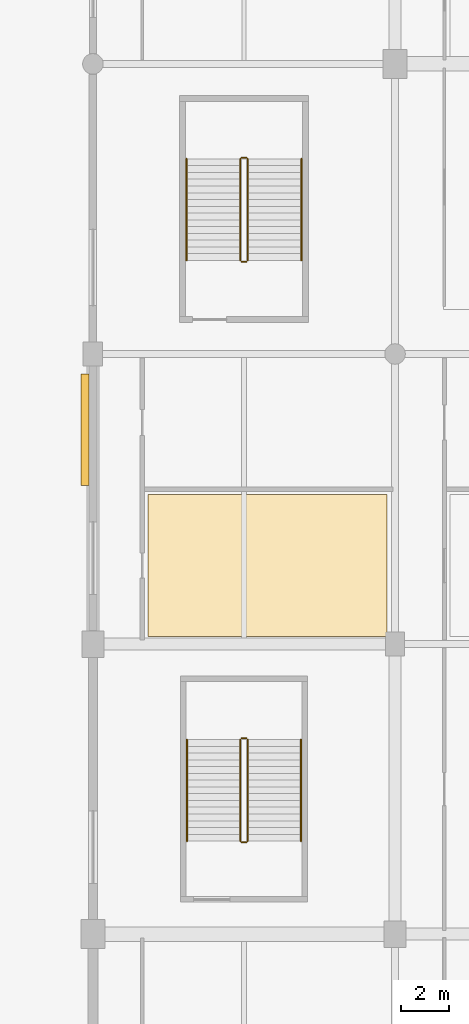
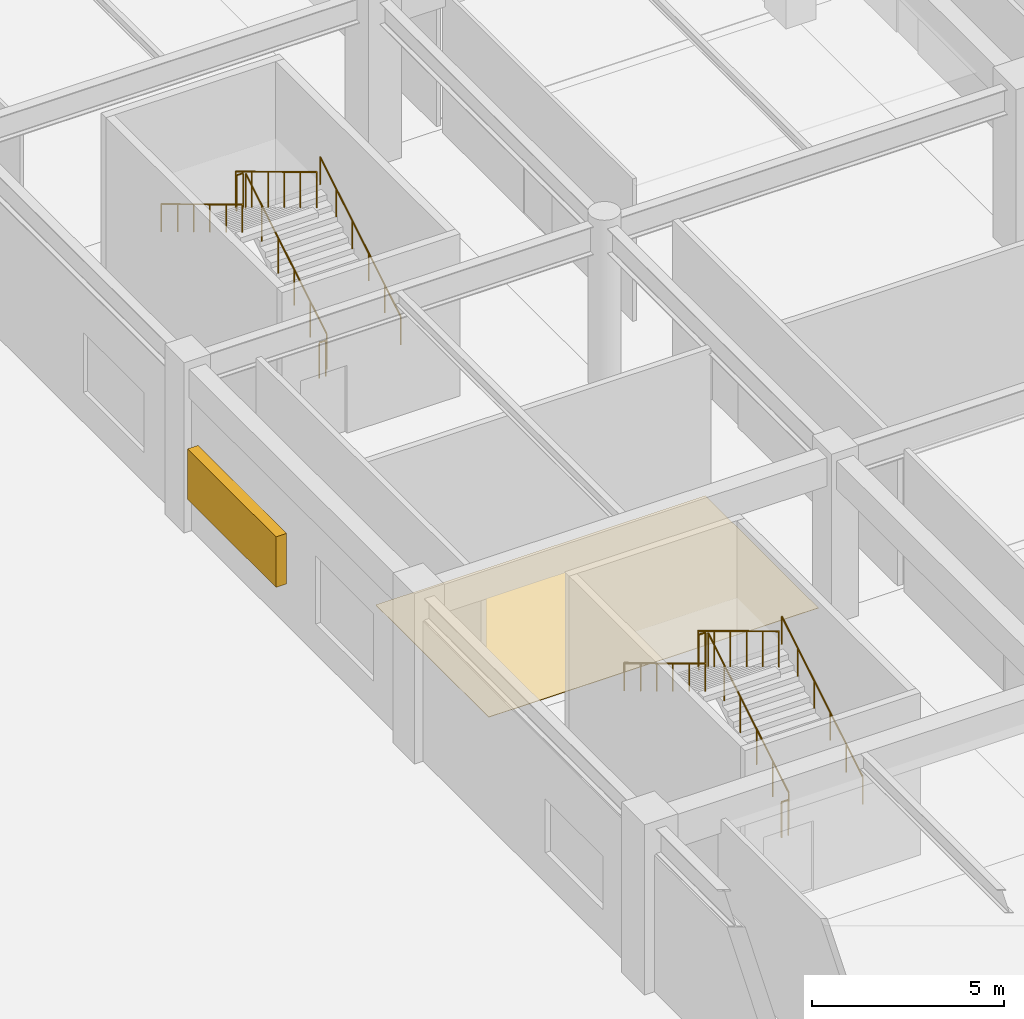
# One storey, part 55 of 69: 12 railings, 1 covering, 1 shading device.
"""IFC4 building model written with IfcOpenShell, lengths in metres."""

from ifc_helpers import new_model, si_unit, direction, frame, origin, origin_2d, place, context, subcontext, project, spatial, polyline, rectangle, circle, outline, extrude, material, layer, layer_set, type_object, element, save


model = new_model("IFC4")

# Units and contexts
model_context = context("Model", 3, precision=1e-05, world=origin(), true_north=direction((0.0, 1.0)))
body_context = subcontext(model_context, "Body", "Model", "MODEL_VIEW")
ifc_project = project(units=[si_unit("LENGTHUNIT", "METRE"), si_unit("AREAUNIT", "SQUARE_METRE"), si_unit("VOLUMEUNIT", "CUBIC_METRE"), si_unit("PLANEANGLEUNIT", "RADIAN"), si_unit("MASSUNIT", "GRAM", prefix="KILO")], contexts=[model_context])

# Site, building, storey
site_placement = place(None, origin())
site = spatial("IfcSite", under=ifc_project, at=site_placement, CompositionType="ELEMENT")
building_placement = place(site_placement, origin())
building = spatial("IfcBuilding", under=site, at=building_placement, Name="Kazenohara Klinker Stadium", CompositionType="ELEMENT")
storey_placement = place(building_placement, origin())
storey = spatial("IfcBuildingStorey", under=building, at=storey_placement, Name="L00", CompositionType="ELEMENT", Elevation=0.0)

# Covering
ifc_material_1 = material(Name="Cushioned EPDM sports rubber flooring", Category="rubber")
ifc_layer_1 = layer(ifc_material_1, 0.014892578125)
ifc_layer_set_1 = layer_set([ifc_layer_1], Name="Cushioned EPDM sports rubber flooring")
covering_type = type_object("IfcCoveringType", Name="COV-FLR-02", PredefinedType="FLOORING", material=ifc_layer_set_1)
covering_placement = place(storey_placement, origin())
element("IfcCovering", 1, at=covering_placement, inside=storey, type_object=covering_type, Name="Interior floor finish FL02 Spectator First-Aid Medical Clinic L00-1407A", PredefinedType="FLOORING", context=body_context, shape_type="SweptSolid", body=[
    extrude(outline(polyline([(177.280029296875, 84.31005859375), (187.169921875, 84.31005859375), (187.169921875, 90.1787109375), (177.280029296875, 90.1787109375), (177.280029296875, 84.31005859375)])), origin(), (0.0, 0.0, 1.0), 0.014892578125),
])

# Railings
ifc_material_2 = material(Name="Brushed stainless steel 304 handrail", Category="steel")
ifc_layer_2 = layer(ifc_material_2, 0.050048828125)
ifc_layer_set_2 = layer_set([ifc_layer_2], Name="Brushed stainless steel 304 handrail")
railing_type_1 = type_object("IfcRailingType", Name="RL-HND-900", PredefinedType="HANDRAIL", material=ifc_layer_set_2)
railing_1_placement = place(storey_placement, frame((183.610107421875, 75.85009765625, 0.168701171875)))
element("IfcRailing", 2, at=railing_1_placement, inside=storey, type_object=railing_type_1, Name="L00 ST22 stair handrail 1", PredefinedType="HANDRAIL", context=body_context, shape_type="SweptSolid", body=[
    extrude(circle(Radius=0.02392578125, at=origin_2d()), frame((0.0, 0.0, 0.8759765625), z_axis=(0.0, 0.856476492594, 0.516186030065), x_axis=(-1.0, 0.0, 0.0)), (0.0, 0.0, 1.0), 4.90380859375),
    extrude(circle(Radius=0.02099609375, at=origin_2d()), origin(), (0.0, 0.0, 1.0), 0.851806640625),
    extrude(circle(Radius=0.02099609375, at=origin_2d()), frame((0.0, 0.840087890625, 0.50634765625)), (0.0, 0.0, 1.0), 0.851806640625),
    extrude(circle(Radius=0.02099609375, at=origin_2d()), frame((0.0, 1.679931640625, 1.012451171875)), (0.0, 0.0, 1.0), 0.851806640625),
    extrude(circle(Radius=0.02099609375, at=origin_2d()), frame((0.0, 2.52001953125, 1.518798828125)), (0.0, 0.0, 1.0), 0.851806640625),
    extrude(circle(Radius=0.02099609375, at=origin_2d()), frame((0.0, 3.35986328125, 2.02490234375)), (0.0, 0.0, 1.0), 0.851806640625),
    extrude(circle(Radius=0.02099609375, at=origin_2d()), frame((0.0, 4.199951171875, 2.53125)), (0.0, 0.0, 1.0), 0.851806640625),
])
railing_2_placement = place(storey_placement, frame((178.889892578125, 80.050048828125, 2.86865234375)))
element("IfcRailing", 3, at=railing_2_placement, inside=storey, type_object=railing_type_1, Name="L00 ST22 stair handrail 2", PredefinedType="HANDRAIL", context=body_context, shape_type="SweptSolid", body=[
    extrude(circle(Radius=0.02392578125, at=origin_2d()), frame((0.0, 0.0, 0.8759765625), z_axis=(0.0, -0.856476492594, 0.516186030065), x_axis=(1.0, 0.0, 0.0)), (0.0, 0.0, 1.0), 4.90380859375),
    extrude(circle(Radius=0.02099609375, at=origin_2d()), origin(), (0.0, 0.0, 1.0), 0.851806640625),
    extrude(circle(Radius=0.02099609375, at=origin_2d()), frame((0.0, -0.840087890625, 0.50634765625)), (0.0, 0.0, 1.0), 0.851806640625),
    extrude(circle(Radius=0.02099609375, at=origin_2d()), frame((0.0, -1.679931640625, 1.012451171875)), (0.0, 0.0, 1.0), 0.851806640625),
    extrude(circle(Radius=0.02099609375, at=origin_2d()), frame((0.0, -2.52001953125, 1.518798828125)), (0.0, 0.0, 1.0), 0.851806640625),
    extrude(circle(Radius=0.02099609375, at=origin_2d()), frame((0.0, -3.35986328125, 2.02490234375)), (0.0, 0.0, 1.0), 0.851806640625),
    extrude(circle(Radius=0.02099609375, at=origin_2d()), frame((0.0, -4.199951171875, 2.53125)), (0.0, 0.0, 1.0), 0.851806640625),
])
railing_3_placement = place(storey_placement, frame((183.6298828125, 99.8701171875, 0.168701171875)))
element("IfcRailing", 4, at=railing_3_placement, inside=storey, type_object=railing_type_1, Name="L00 ST23 stair handrail 1", PredefinedType="HANDRAIL", context=body_context, shape_type="SweptSolid", body=[
    extrude(circle(Radius=0.02392578125, at=origin_2d()), frame((0.0, 0.0, 0.8759765625), z_axis=(0.0, 0.856476492594, 0.516186030065), x_axis=(-1.0, 0.0, 0.0)), (0.0, 0.0, 1.0), 4.90380859375),
    extrude(circle(Radius=0.02099609375, at=origin_2d()), origin(), (0.0, 0.0, 1.0), 0.851806640625),
    extrude(circle(Radius=0.02099609375, at=origin_2d()), frame((0.0, 0.840087890625, 0.50634765625)), (0.0, 0.0, 1.0), 0.851806640625),
    extrude(circle(Radius=0.02099609375, at=origin_2d()), frame((0.0, 1.679931640625, 1.012451171875)), (0.0, 0.0, 1.0), 0.851806640625),
    extrude(circle(Radius=0.02099609375, at=origin_2d()), frame((0.0, 2.52001953125, 1.518798828125)), (0.0, 0.0, 1.0), 0.851806640625),
    extrude(circle(Radius=0.02099609375, at=origin_2d()), frame((0.0, 3.35986328125, 2.02490234375)), (0.0, 0.0, 1.0), 0.851806640625),
    extrude(circle(Radius=0.02099609375, at=origin_2d()), frame((0.0, 4.199951171875, 2.53125)), (0.0, 0.0, 1.0), 0.851806640625),
])
railing_4_placement = place(storey_placement, frame((178.8701171875, 104.070068359375, 2.86865234375)))
element("IfcRailing", 5, at=railing_4_placement, inside=storey, type_object=railing_type_1, Name="L00 ST23 stair handrail 2", PredefinedType="HANDRAIL", context=body_context, shape_type="SweptSolid", body=[
    extrude(circle(Radius=0.02392578125, at=origin_2d()), frame((0.0, 0.0, 0.8759765625), z_axis=(0.0, -0.856476492594, 0.516186030065), x_axis=(1.0, 0.0, 0.0)), (0.0, 0.0, 1.0), 4.90380859375),
    extrude(circle(Radius=0.02099609375, at=origin_2d()), origin(), (0.0, 0.0, 1.0), 0.851806640625),
    extrude(circle(Radius=0.02099609375, at=origin_2d()), frame((0.0, -0.840087890625, 0.50634765625)), (0.0, 0.0, 1.0), 0.851806640625),
    extrude(circle(Radius=0.02099609375, at=origin_2d()), frame((0.0, -1.679931640625, 1.012451171875)), (0.0, 0.0, 1.0), 0.851806640625),
    extrude(circle(Radius=0.02099609375, at=origin_2d()), frame((0.0, -2.52001953125, 1.518798828125)), (0.0, 0.0, 1.0), 0.851806640625),
    extrude(circle(Radius=0.02099609375, at=origin_2d()), frame((0.0, -3.35986328125, 2.02490234375)), (0.0, 0.0, 1.0), 0.851806640625),
    extrude(circle(Radius=0.02099609375, at=origin_2d()), frame((0.0, -4.199951171875, 2.53125)), (0.0, 0.0, 1.0), 0.851806640625),
])
ifc_material_3 = material(Name="Painted steel stairwell guardrail", Category="steel")
ifc_layer_3 = layer(ifc_material_3, 0.06005859375)
ifc_layer_set_3 = layer_set([ifc_layer_3], Name="Painted steel stairwell guardrail")
railing_type_2 = type_object("IfcRailingType", Name="RL-STG-1120", PredefinedType="GUARDRAIL", material=ifc_layer_set_3)
railing_5_placement = place(storey_placement, frame((181.39990234375, 75.85009765625, 0.168701171875)))
element("IfcRailing", 6, at=railing_5_placement, inside=storey, type_object=railing_type_2, Name="L00 ST22 stair guard 1", PredefinedType="GUARDRAIL", context=body_context, shape_type="SweptSolid", body=[
    extrude(circle(Radius=0.02392578125, at=origin_2d()), frame((0.0, 0.0, 1.1259765625), z_axis=(0.0, 0.856476492594, 0.516186030065), x_axis=(-1.0, 0.0, 0.0)), (0.0, 0.0, 1.0), 4.90380859375),
    extrude(circle(Radius=0.02099609375, at=origin_2d()), origin(), (0.0, 0.0, 1.0), 1.101806640625),
    extrude(circle(Radius=0.02099609375, at=origin_2d()), frame((0.0, 0.840087890625, 0.50634765625)), (0.0, 0.0, 1.0), 1.101806640625),
    extrude(circle(Radius=0.02099609375, at=origin_2d()), frame((0.0, 1.679931640625, 1.012451171875)), (0.0, 0.0, 1.0), 1.101806640625),
    extrude(circle(Radius=0.02099609375, at=origin_2d()), frame((0.0, 2.52001953125, 1.518798828125)), (0.0, 0.0, 1.0), 1.101806640625),
    extrude(circle(Radius=0.02099609375, at=origin_2d()), frame((0.0, 3.35986328125, 2.02490234375)), (0.0, 0.0, 1.0), 1.101806640625),
    extrude(circle(Radius=0.02099609375, at=origin_2d()), frame((0.0, 4.199951171875, 2.53125)), (0.0, 0.0, 1.0), 1.101806640625),
])
railing_6_placement = place(storey_placement, frame((181.35009765625, 80.10009765625, 2.699951171875)))
element("IfcRailing", 7, at=railing_6_placement, inside=storey, type_object=railing_type_2, Name="L00 ST22 stair guard 2", PredefinedType="GUARDRAIL", context=body_context, shape_type="SweptSolid", body=[
    extrude(circle(Radius=0.02392578125, at=origin_2d()), frame((0.0, 0.0, 1.1259765625), z_axis=(-1.0, 0.0, 0.0), x_axis=(0.0, -1.0, 0.0)), (0.0, 0.0, 1.0), 0.2001953125),
    extrude(circle(Radius=0.02099609375, at=origin_2d()), origin(), (0.0, 0.0, 1.0), 1.101806640625),
    extrude(circle(Radius=0.02099609375, at=origin_2d()), frame((-0.2001953125, 0.0, 0.0)), (0.0, 0.0, 1.0), 1.101806640625),
])
railing_7_placement = place(storey_placement, frame((181.10009765625, 80.050048828125, 2.86865234375)))
element("IfcRailing", 8, at=railing_7_placement, inside=storey, type_object=railing_type_2, Name="L00 ST22 stair guard 3", PredefinedType="GUARDRAIL", context=body_context, shape_type="SweptSolid", body=[
    extrude(circle(Radius=0.02392578125, at=origin_2d()), frame((0.0, 0.0, 1.1259765625), z_axis=(0.0, -0.856476492594, 0.516186030065), x_axis=(1.0, 0.0, 0.0)), (0.0, 0.0, 1.0), 4.90380859375),
    extrude(circle(Radius=0.02099609375, at=origin_2d()), origin(), (0.0, 0.0, 1.0), 1.101806640625),
    extrude(circle(Radius=0.02099609375, at=origin_2d()), frame((0.0, -0.840087890625, 0.50634765625)), (0.0, 0.0, 1.0), 1.101806640625),
    extrude(circle(Radius=0.02099609375, at=origin_2d()), frame((0.0, -1.679931640625, 1.012451171875)), (0.0, 0.0, 1.0), 1.101806640625),
    extrude(circle(Radius=0.02099609375, at=origin_2d()), frame((0.0, -2.52001953125, 1.518798828125)), (0.0, 0.0, 1.0), 1.101806640625),
    extrude(circle(Radius=0.02099609375, at=origin_2d()), frame((0.0, -3.35986328125, 2.02490234375)), (0.0, 0.0, 1.0), 1.101806640625),
    extrude(circle(Radius=0.02099609375, at=origin_2d()), frame((0.0, -4.199951171875, 2.53125)), (0.0, 0.0, 1.0), 1.101806640625),
])
railing_8_placement = place(storey_placement, frame((181.35009765625, 75.800048828125, 0.0)))
element("IfcRailing", 9, at=railing_8_placement, inside=storey, type_object=railing_type_2, Name="L00 ST22 stair guard 4", PredefinedType="GUARDRAIL", context=body_context, shape_type="SweptSolid", body=[
    extrude(circle(Radius=0.02392578125, at=origin_2d()), frame((0.0, 0.0, 1.1259765625), z_axis=(-1.0, 0.0, 0.0), x_axis=(0.0, -1.0, 0.0)), (0.0, 0.0, 1.0), 0.2001953125),
    extrude(circle(Radius=0.02099609375, at=origin_2d()), origin(), (0.0, 0.0, 1.0), 1.101806640625),
    extrude(circle(Radius=0.02099609375, at=origin_2d()), frame((-0.2001953125, 0.0, 0.0)), (0.0, 0.0, 1.0), 1.101806640625),
])
railing_9_placement = place(storey_placement, frame((181.39990234375, 99.8701171875, 0.168701171875)))
element("IfcRailing", 10, at=railing_9_placement, inside=storey, type_object=railing_type_2, Name="L00 ST23 stair guard 1", PredefinedType="GUARDRAIL", context=body_context, shape_type="SweptSolid", body=[
    extrude(circle(Radius=0.02392578125, at=origin_2d()), frame((0.0, 0.0, 1.1259765625), z_axis=(0.0, 0.856476492594, 0.516186030065), x_axis=(-1.0, 0.0, 0.0)), (0.0, 0.0, 1.0), 4.90380859375),
    extrude(circle(Radius=0.02099609375, at=origin_2d()), origin(), (0.0, 0.0, 1.0), 1.101806640625),
    extrude(circle(Radius=0.02099609375, at=origin_2d()), frame((0.0, 0.840087890625, 0.50634765625)), (0.0, 0.0, 1.0), 1.101806640625),
    extrude(circle(Radius=0.02099609375, at=origin_2d()), frame((0.0, 1.679931640625, 1.012451171875)), (0.0, 0.0, 1.0), 1.101806640625),
    extrude(circle(Radius=0.02099609375, at=origin_2d()), frame((0.0, 2.52001953125, 1.518798828125)), (0.0, 0.0, 1.0), 1.101806640625),
    extrude(circle(Radius=0.02099609375, at=origin_2d()), frame((0.0, 3.35986328125, 2.02490234375)), (0.0, 0.0, 1.0), 1.101806640625),
    extrude(circle(Radius=0.02099609375, at=origin_2d()), frame((0.0, 4.199951171875, 2.53125)), (0.0, 0.0, 1.0), 1.101806640625),
])
railing_10_placement = place(storey_placement, frame((181.35009765625, 104.1201171875, 2.699951171875)))
element("IfcRailing", 11, at=railing_10_placement, inside=storey, type_object=railing_type_2, Name="L00 ST23 stair guard 2", PredefinedType="GUARDRAIL", context=body_context, shape_type="SweptSolid", body=[
    extrude(circle(Radius=0.02392578125, at=origin_2d()), frame((0.0, 0.0, 1.1259765625), z_axis=(-1.0, 0.0, 0.0), x_axis=(0.0, -1.0, 0.0)), (0.0, 0.0, 1.0), 0.2001953125),
    extrude(circle(Radius=0.02099609375, at=origin_2d()), origin(), (0.0, 0.0, 1.0), 1.101806640625),
    extrude(circle(Radius=0.02099609375, at=origin_2d()), frame((-0.2001953125, 0.0, 0.0)), (0.0, 0.0, 1.0), 1.101806640625),
])
railing_11_placement = place(storey_placement, frame((181.10009765625, 104.070068359375, 2.86865234375)))
element("IfcRailing", 12, at=railing_11_placement, inside=storey, type_object=railing_type_2, Name="L00 ST23 stair guard 3", PredefinedType="GUARDRAIL", context=body_context, shape_type="SweptSolid", body=[
    extrude(circle(Radius=0.02392578125, at=origin_2d()), frame((0.0, 0.0, 1.1259765625), z_axis=(0.0, -0.856476492594, 0.516186030065), x_axis=(1.0, 0.0, 0.0)), (0.0, 0.0, 1.0), 4.90380859375),
    extrude(circle(Radius=0.02099609375, at=origin_2d()), origin(), (0.0, 0.0, 1.0), 1.101806640625),
    extrude(circle(Radius=0.02099609375, at=origin_2d()), frame((0.0, -0.840087890625, 0.50634765625)), (0.0, 0.0, 1.0), 1.101806640625),
    extrude(circle(Radius=0.02099609375, at=origin_2d()), frame((0.0, -1.679931640625, 1.012451171875)), (0.0, 0.0, 1.0), 1.101806640625),
    extrude(circle(Radius=0.02099609375, at=origin_2d()), frame((0.0, -2.52001953125, 1.518798828125)), (0.0, 0.0, 1.0), 1.101806640625),
    extrude(circle(Radius=0.02099609375, at=origin_2d()), frame((0.0, -3.35986328125, 2.02490234375)), (0.0, 0.0, 1.0), 1.101806640625),
    extrude(circle(Radius=0.02099609375, at=origin_2d()), frame((0.0, -4.199951171875, 2.53125)), (0.0, 0.0, 1.0), 1.101806640625),
])
railing_12_placement = place(storey_placement, frame((181.35009765625, 99.820068359375, 0.0)))
element("IfcRailing", 13, at=railing_12_placement, inside=storey, type_object=railing_type_2, Name="L00 ST23 stair guard 4", PredefinedType="GUARDRAIL", context=body_context, shape_type="SweptSolid", body=[
    extrude(circle(Radius=0.02392578125, at=origin_2d()), frame((0.0, 0.0, 1.1259765625), z_axis=(-1.0, 0.0, 0.0), x_axis=(0.0, -1.0, 0.0)), (0.0, 0.0, 1.0), 0.2001953125),
    extrude(circle(Radius=0.02099609375, at=origin_2d()), origin(), (0.0, 0.0, 1.0), 1.101806640625),
    extrude(circle(Radius=0.02099609375, at=origin_2d()), frame((-0.2001953125, 0.0, 0.0)), (0.0, 0.0, 1.0), 1.101806640625),
])

# Shading device
ifc_material_4 = material(Name="Perforated clinker-brick and bronze louvre grille", Category="masonry")
shading_device_type = type_object("IfcShadingDeviceType", Name="SHD-LOUV-03", PredefinedType="JALOUSIE", material=ifc_material_4)
shading_device_placement = place(storey_placement, frame((174.675048828125, 92.869873046875, 1.300048828125), z_axis=(0.0, 0.0, 1.0), x_axis=(0.0, 1.0, 0.0)))
element("IfcShadingDevice", 14, at=shading_device_placement, inside=storey, type_object=shading_device_type, Name="Perforated clinker-brick louvre screen LV03-11", PredefinedType="JALOUSIE", context=body_context, shape_type="SweptSolid", body=[
    extrude(rectangle(XDim=4.60009765625, YDim=0.320068359375, at=origin_2d()), origin(), (0.0, 0.0, 1.0), 1.60009765625),
])

save(model, "model.ifc")
